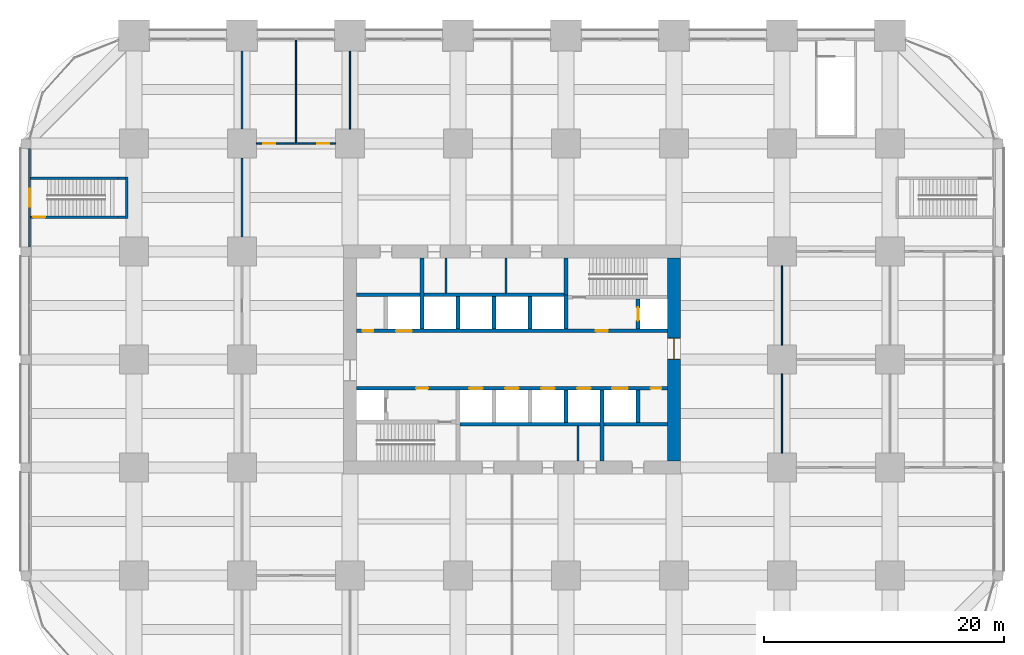
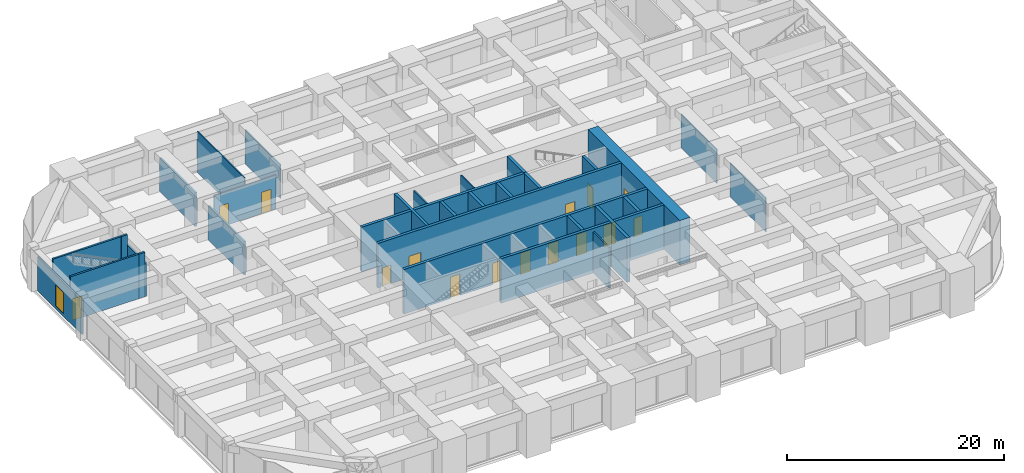
# One storey, part 42 of 46: 31 walls, 15 doors, 1 window, 16 openings.
"""IFC4 building model written with IfcOpenShell, lengths in metres."""

import ifcopenshell
import ifcopenshell.guid

model = None  # the IFC model being written
_history = None  # IfcOwnerHistory: only IFC2X3 demands one
_inside = {}  # id of a spatial element -> (the spatial element, [elements in it])
_under = {}  # id of a project, library or spatial element -> (it, [spatial elements below it])
_declared = {}  # id of a project -> (the project, [libraries it declares])
_typed = {}  # id of a type object -> (the type object, [elements of that type])
_made_of = {}  # id of a material, layer set ... -> (it, [elements and type objects made of it])


def new_model(schema):
    """Start an empty IFC model of exactly this schema.

    Asked for "IFC4X3", IfcOpenShell would pick the latest addendum, in which some entities
    have other attributes; the version numbers below select the first issue.
    IFC2X3 requires an IfcOwnerHistory on every rooted entity: one is made here for all.
    """
    global model, _history
    if schema == "IFC4X3":
        model = ifcopenshell.file(schema_version=(4, 3, 0, 0))
    else:
        model = ifcopenshell.file(schema=schema)
    _inside.clear()
    _under.clear()
    _declared.clear()
    _typed.clear()
    _made_of.clear()
    _history = None
    if model.schema == "IFC2X3":
        org = make("IfcOrganization", Name="unknown")
        user = make(
            "IfcPersonAndOrganization",
            ThePerson=make("IfcPerson", FamilyName="unknown"),
            TheOrganization=org,
        )
        app = make(
            "IfcApplication",
            ApplicationDeveloper=org,
            Version="unknown",
            ApplicationFullName="unknown",
            ApplicationIdentifier="unknown",
        )
        _history = make(
            "IfcOwnerHistory",
            OwningUser=user,
            OwningApplication=app,
            ChangeAction="ADDED",
            CreationDate=0,
        )
    return model


def make(cls, **values):
    """One entity of the class cls with the attributes given. An attribute that is None is left unset."""
    return model.create_entity(
        cls, **{name: value for name, value in values.items() if value is not None}
    )


def rooted(cls, **values):
    """An entity with a GlobalId (a new one), such as an element, a storey or a relation."""
    return make(cls, GlobalId=ifcopenshell.guid.new(), OwnerHistory=_history, **values)


def si_unit(unit_type, name, prefix=None):
    """IfcSIUnit, for example si_unit("LENGTHUNIT", "METRE", prefix="MILLI")."""
    return make("IfcSIUnit", UnitType=unit_type, Prefix=prefix, Name=name)


def assignment(units):
    """IfcUnitAssignment: the units of a project."""
    return None if units is None else make("IfcUnitAssignment", Units=units)


def point(xyz):
    """IfcCartesianPoint."""
    return None if xyz is None else make("IfcCartesianPoint", Coordinates=xyz)


def direction(xyz):
    """IfcDirection."""
    return None if xyz is None else make("IfcDirection", DirectionRatios=xyz)


def frame(location, z_axis=None, x_axis=None):
    """IfcAxis2Placement3D, a coordinate frame: its origin and axes. An axis left out is left unset."""
    return make(
        "IfcAxis2Placement3D",
        Location=point(location),
        Axis=direction(z_axis),
        RefDirection=direction(x_axis),
    )


def frame_2d(location, x_axis=None):
    """IfcAxis2Placement2D, a coordinate frame in the plane: its origin and x axis."""
    return make(
        "IfcAxis2Placement2D", Location=point(location), RefDirection=direction(x_axis)
    )


def origin():
    """The frame at (0, 0, 0) with its axes left unset."""
    return frame((0.0, 0.0, 0.0))


def place(relative_to, where):
    """IfcLocalPlacement: puts the frame where relative to a parent placement (None: the world)."""
    return make(
        "IfcLocalPlacement", PlacementRelTo=relative_to, RelativePlacement=where
    )


def context(
    kind, dimensions, precision=None, world=None, true_north=None, identifier=None
):
    """IfcGeometricRepresentationContext, for example the 3D "Model" context."""
    return make(
        "IfcGeometricRepresentationContext",
        ContextIdentifier=identifier,
        ContextType=kind,
        CoordinateSpaceDimension=dimensions,
        Precision=precision,
        WorldCoordinateSystem=world,
        TrueNorth=true_north,
    )


def subcontext(parent, identifier, kind, view, scale=None):
    """IfcGeometricRepresentationSubContext, for example "Body" below "Model"."""
    return make(
        "IfcGeometricRepresentationSubContext",
        ContextIdentifier=identifier,
        ContextType=kind,
        ParentContext=parent,
        TargetScale=scale,
        TargetView=view,
    )


def project(units=None, contexts=None):
    """IfcProject with its units and contexts."""
    return rooted(
        "IfcProject",
        Name="project",
        RepresentationContexts=contexts,
        UnitsInContext=assignment(units),
    )


def spatial(cls, under=None, at=None, **own):
    """A site, building, storey or space (cls), placed at a placement, below another one or the project."""
    s = rooted(cls, ObjectPlacement=at, **own)
    if under is not None:
        _under.setdefault(under.id(), (under, []))[1].append(s)
    return s


def profile(cls, at=None, kind="AREA", **sizes):
    """A parametric profile (cls). Its sizes go by their IFC names, for example OverallWidth=200.0."""
    return make(cls, ProfileType=kind, Position=at, **sizes)


def rectangle(**sizes):
    """IfcRectangleProfileDef."""
    return profile("IfcRectangleProfileDef", **sizes)


def extrude(swept, where, along, depth):
    """IfcExtrudedAreaSolid: the profile swept, set in the frame where, extruded along a direction by depth."""
    return make(
        "IfcExtrudedAreaSolid",
        SweptArea=swept,
        Position=where,
        ExtrudedDirection=direction(along),
        Depth=depth,
    )


def shape(context_of_items, identifier, shape_type, items):
    """IfcShapeRepresentation: the items that make up one representation, for example the "Body"."""
    return make(
        "IfcShapeRepresentation",
        ContextOfItems=context_of_items,
        RepresentationIdentifier=identifier,
        RepresentationType=shape_type,
        Items=items,
    )


def material(Name=None, Category=None):
    """IfcMaterial."""
    return make("IfcMaterial", Name=Name, Category=Category)


def layer(
    of_material, thickness, ventilated=None, Name=None, Category=None, Priority=None
):
    """IfcMaterialLayer: one layer of a wall or slab, of a material (None: an air gap)."""
    return make(
        "IfcMaterialLayer",
        Material=of_material,
        LayerThickness=thickness,
        IsVentilated=ventilated,
        Name=Name,
        Category=Category,
        Priority=Priority,
    )


def layer_set(layers, Name=None):
    """IfcMaterialLayerSet."""
    return make("IfcMaterialLayerSet", MaterialLayers=layers, LayerSetName=Name)


def made_of(thing, what):
    """Note that an element or type object is made of a material, layer set ...; save() writes the relation."""
    if what is not None:
        _made_of.setdefault(what.id(), (what, []))[1].append(thing)
    return thing


def type_object(cls, material=None, **own):
    """A type object (cls), such as IfcWallType, which elements share."""
    return made_of(rooted(cls, **own), material)


def element(
    cls,
    number,
    at=None,
    inside=None,
    cuts=None,
    type_object=None,
    material=None,
    context=None,
    identifier="Body",
    shape_type=None,
    held_by="IfcProductDefinitionShape",
    body=None,
    shapes=None,
    **own,
):
    """One element of the class cls, such as IfcWall. Its Tag is "e" and its number.

    at: its placement. inside: the storey or other place that contains it. cuts: it is an
    opening in that element (IfcRelVoidsElement). A single representation is given by context,
    identifier, shape_type and body (its items); several are given by shapes. held_by: the class
    of the entity that holds the representations. save() writes the other relations.
    """
    e = rooted(cls, Tag="e%d" % number, ObjectPlacement=at, **own)
    if body is not None:
        shapes = [shape(context, identifier, shape_type, body)]
    if shapes is not None:
        e.Representation = make(held_by, Representations=shapes)
    if inside is not None:
        _inside.setdefault(inside.id(), (inside, []))[1].append(e)
    if cuts is not None:
        rooted(
            "IfcRelVoidsElement", RelatingBuildingElement=cuts, RelatedOpeningElement=e
        )
    if type_object is not None:
        _typed.setdefault(type_object.id(), (type_object, []))[1].append(e)
    return made_of(e, material)


def fill(opening, filler):
    """IfcRelFillsElement: the door or window that sits in an opening."""
    return rooted(
        "IfcRelFillsElement",
        RelatingOpeningElement=opening,
        RelatedBuildingElement=filler,
    )


def aggregate(whole, parts):
    """IfcRelAggregates: a whole, such as a stair, and the parts it consists of."""
    return rooted("IfcRelAggregates", RelatingObject=whole, RelatedObjects=parts)


def save(model, path):
    """Write the relations noted so far, then the file.

    IfcRelAggregates (storeys below a building ...), IfcRelContainedInSpatialStructure (elements
    in a storey), IfcRelDefinesByType, IfcRelAssociatesMaterial and IfcRelDeclares: one each for
    every whole, place, type object, material and project.
    """
    for whole, parts in _under.values():
        aggregate(whole, parts)
    for where, things in _inside.values():
        rooted(
            "IfcRelContainedInSpatialStructure",
            RelatedElements=things,
            RelatingStructure=where,
        )
    for kind, things in _typed.values():
        rooted("IfcRelDefinesByType", RelatedObjects=things, RelatingType=kind)
    for what, things in _made_of.values():
        rooted("IfcRelAssociatesMaterial", RelatedObjects=things, RelatingMaterial=what)
    for by, libraries in _declared.values():
        rooted("IfcRelDeclares", RelatingContext=by, RelatedDefinitions=libraries)
    model.write(path)


model = new_model("IFC4")

# Units and contexts
model_context = context("Model", 3, precision=1e-05, world=origin(), true_north=direction((0.0, 1.0)))
body_context = subcontext(model_context, "Body", "Model", "MODEL_VIEW")
ifc_project = project(units=[si_unit("LENGTHUNIT", "METRE"), si_unit("AREAUNIT", "SQUARE_METRE"), si_unit("VOLUMEUNIT", "CUBIC_METRE"), si_unit("PLANEANGLEUNIT", "RADIAN"), si_unit("MASSUNIT", "GRAM", prefix="KILO")], contexts=[model_context])

# Site, building, storey
site_placement = place(None, origin())
site = spatial("IfcSite", under=ifc_project, at=site_placement, CompositionType="ELEMENT")
building_placement = place(site_placement, origin())
building = spatial("IfcBuilding", under=site, at=building_placement, Name="Zorevar Civic Tower", CompositionType="ELEMENT")
storey_placement = place(building_placement, frame((0.0, 0.0, 10.800048828125)))
storey = spatial("IfcBuildingStorey", under=building, at=storey_placement, Name="L02", CompositionType="ELEMENT", Elevation=10.800048828125)

# Walls
ifc_material_1 = material(Name="Concrete blockwork", Category="masonry")
ifc_layer_1 = layer(ifc_material_1, 0.199951171875)
ifc_layer_set_1 = layer_set([ifc_layer_1], Name="Blockwork wall 200")
wall_type_1 = type_object("IfcWallType", Name="Blockwork wall 200", PredefinedType="SOLIDWALL", material=ifc_layer_set_1)
wall_1_placement = place(storey_placement, frame((9.0, 37.199951171875, 0.0), z_axis=(0.0, 0.0, 1.0), x_axis=(0.0, 1.0, 0.0)))
element("IfcWall", 1, at=wall_1_placement, inside=storey, type_object=wall_type_1, Name="Blockwork wall 200 L02", PredefinedType="SOLIDWALL", context=body_context, shape_type="SweptSolid", body=[
    extrude(rectangle(XDim=6.60009765625, YDim=0.199951171875, at=frame_2d((3.300048828125, 0.0))), origin(), (0.0, 0.0, 1.0), 3.800048828125),
])
wall_2_placement = place(storey_placement, frame((9.0, 46.199951171875, 0.0), z_axis=(0.0, 0.0, 1.0), x_axis=(0.0, 1.0, 0.0)))
element("IfcWall", 2, at=wall_2_placement, inside=storey, type_object=wall_type_1, Name="Blockwork wall 200 L02", PredefinedType="SOLIDWALL", context=body_context, shape_type="SweptSolid", body=[
    extrude(rectangle(XDim=6.5, YDim=0.199951171875, at=frame_2d((3.25, 0.0))), origin(), (0.0, 0.0, 1.0), 3.800048828125),
])
for number, where, z_axis, x_axis, name in (
    (3, (-1.35009765625, 38.875, 0.0), (0.0, 0.0, 1.0), (1.0, 0.0, 0.0), "Escape stair PS1 enclosure L02"),
    (4, (-1.35009765625, 42.125, 0.0), (0.0, 0.0, 1.0), (1.0, 0.0, 0.0), "Escape stair PS1 enclosure L02"),
):
    element("IfcWall", number, at=place(storey_placement, frame(where, z_axis=z_axis, x_axis=x_axis)), inside=storey, type_object=wall_type_1, Name=name, PredefinedType="SOLIDWALL", context=body_context, shape_type="SweptSolid", body=[
        extrude(rectangle(XDim=0.650146484375, YDim=0.199951171875, at=frame_2d((0.3251953125, 0.0))), origin(), (0.0, 0.0, 1.0), 5.0),
    ])
wall_3_placement = place(storey_placement, frame((-0.60009765625, 38.77490234375, 0.0), z_axis=(0.0, 0.0, 1.0), x_axis=(0.0, 1.0, 0.0)))
element("IfcWall", 5, at=wall_3_placement, inside=storey, type_object=wall_type_1, Name="Escape stair PS1 enclosure L02", PredefinedType="SOLIDWALL", context=body_context, shape_type="SweptSolid", body=[
    extrude(rectangle(XDim=3.4501953125, YDim=0.199951171875, at=frame_2d((1.72509765625, 0.0))), origin(), (0.0, 0.0, 1.0), 3.800048828125),
])

# Wall, opening, door
ifc_material_2 = material(Name="Concrete C50/60", Category="concrete")
ifc_layer_2 = layer(ifc_material_2, 1.10009765625)
ifc_layer_set_2 = layer_set([ifc_layer_2], Name="Core wall 1100")
wall_type_2 = type_object("IfcWallType", Name="Core wall 1100", PredefinedType="SHEAR", material=ifc_layer_set_2)
wall_4_placement = place(storey_placement, frame((45.0, 18.550048828125, 0.0), z_axis=(0.0, 0.0, 1.0), x_axis=(0.0, 1.0, 0.0)))
wall_4 = element("IfcWall", 6, at=wall_4_placement, inside=storey, type_object=wall_type_2, Name="Core wall E L02", PredefinedType="SHEAR", context=body_context, shape_type="SweptSolid", body=[
    extrude(rectangle(XDim=16.89990234375, YDim=1.10009765625, at=frame_2d((8.449951171875, 0.0))), origin(), (0.0, 0.0, 1.0), 5.0),
])
opening_1_placement = place(wall_4_placement, frame((8.449951171875, 0.0, 0.0)))
opening_1 = element("IfcOpeningElement", 7, at=opening_1_placement, cuts=wall_4, Name="Opening L02.02", PredefinedType="OPENING", context=body_context, shape_type="SweptSolid", body=[
    extrude(rectangle(XDim=1.800048828125, YDim=2.39990234375, at=frame_2d((0.89990234375, 1.199951171875))), frame((0.0, 0.56005859375, 0.0), z_axis=(0.0, -1.0, 0.0), x_axis=(1.0, 0.0, 0.0)), (0.0, 0.0, 1.0), 1.1201171875),
])
ifc_material_3 = material(Name="Steel door set", Category="steel")
door_type_1 = type_object("IfcDoorType", Name="Fire door FD2 1800x2400", OperationType="DOUBLE_DOOR_DOUBLE_SWING", PredefinedType="DOOR", material=ifc_material_3)
door_1_placement = place(opening_1_placement, origin())
door_1 = element("IfcDoor", 8, at=door_1_placement, inside=storey, type_object=door_type_1, Name="Door L02 01", OperationType="DOUBLE_DOOR_DOUBLE_SWING", OverallHeight=2.39990234375, OverallWidth=1.800048828125, PredefinedType="DOOR", context=body_context, shape_type="SweptSolid", body=[
    extrude(rectangle(XDim=1.800048828125, YDim=2.39990234375, at=frame_2d((0.89990234375, 1.199951171875))), frame((0.0, 0.030029296875, 0.0), z_axis=(0.0, -1.0, 0.0), x_axis=(1.0, 0.0, 0.0)), (0.0, 0.0, 1.0), 0.06005859375),
    extrude(rectangle(XDim=0.04, YDim=2.39990234375, at=frame_2d((0.02001953125, 1.199951171875))), frame((0.0, 0.5498046875, 0.0), z_axis=(0.0, -1.0, 0.0), x_axis=(1.0, 0.0, 0.0)), (0.0, 0.0, 1.0), 1.099609375),
    extrude(rectangle(XDim=0.04, YDim=2.39990234375, at=frame_2d((1.780029296875, 1.199951171875))), frame((0.0, 0.5498046875, 0.0), z_axis=(0.0, -1.0, 0.0), x_axis=(1.0, 0.0, 0.0)), (0.0, 0.0, 1.0), 1.099609375),
    extrude(rectangle(XDim=1.800048828125, YDim=0.04, at=frame_2d((0.89990234375, 2.3798828125))), frame((0.0, 0.5498046875, 0.0), z_axis=(0.0, -1.0, 0.0), x_axis=(1.0, 0.0, 0.0)), (0.0, 0.0, 1.0), 1.099609375),
])
fill(opening_1, door_1)

# Walls
ifc_material_4 = material(Name="Laminated glass in black aluminium frame", Category="aluminium")
ifc_layer_3 = layer(ifc_material_4, 0.10009765625)
ifc_layer_set_3 = layer_set([ifc_layer_3], Name="Glazed partition 100")
wall_type_3 = type_object("IfcWallType", Name="Glazed partition 100", PredefinedType="PARTITIONING", material=ifc_layer_set_3)
for number, where, z_axis, x_axis, name in (
    (9, (54.0, 19.199951171875, 0.0), (0.0, 0.0, 1.0), (0.0, 1.0, 0.0), "Glazed partition 100 L02"),
    (10, (54.0, 28.199951171875, 0.0), (0.0, 0.0, 1.0), (0.0, 1.0, 0.0), "Glazed partition 100 L02"),
):
    element("IfcWall", number, at=place(storey_placement, frame(where, z_axis=z_axis, x_axis=x_axis)), inside=storey, type_object=wall_type_3, Name=name, PredefinedType="PARTITIONING", context=body_context, shape_type="SweptSolid", body=[
        extrude(rectangle(XDim=6.60009765625, YDim=0.10009765625, at=frame_2d((3.300048828125, 0.0))), origin(), (0.0, 0.0, 1.0), 3.800048828125),
    ])
ifc_material_5 = material(Name="Concrete C40/50", Category="concrete")
ifc_layer_4 = layer(ifc_material_5, 0.300048828125)
ifc_layer_set_4 = layer_set([ifc_layer_4], Name="Inner core wall 300")
wall_type_4 = type_object("IfcWallType", Name="Inner core wall 300", PredefinedType="SHEAR", material=ifc_layer_set_4)
wall_5_placement = place(storey_placement, frame((36.0, 32.39990234375, 0.0), z_axis=(0.0, 0.0, 1.0), x_axis=(0.0, 1.0, 0.0)))
element("IfcWall", 11, at=wall_5_placement, inside=storey, type_object=wall_type_4, Name="Inner core wall N01 L02", PredefinedType="SHEAR", context=body_context, shape_type="SweptSolid", body=[
    extrude(rectangle(XDim=3.050048828125, YDim=0.300048828125, at=frame_2d((1.52490234375, 0.0))), origin(), (0.0, 0.0, 1.0), 5.0),
])

# Wall, opening, door
wall_6_placement = place(storey_placement, frame((42.0, 29.550048828125, 0.0), z_axis=(0.0, 0.0, 1.0), x_axis=(0.0, 1.0, 0.0)))
wall_6 = element("IfcWall", 12, at=wall_6_placement, inside=storey, type_object=wall_type_4, Name="Inner core wall N02 L02", PredefinedType="SHEAR", context=body_context, shape_type="SweptSolid", body=[
    extrude(rectangle(XDim=2.5, YDim=0.300048828125, at=frame_2d((1.25, 0.0))), origin(), (0.0, 0.0, 1.0), 5.0),
])
opening_2_placement = place(wall_6_placement, frame((0.699951171875, 0.0, 0.0)))
opening_2 = element("IfcOpeningElement", 13, at=opening_2_placement, cuts=wall_6, Name="Opening L02.FL2", PredefinedType="OPENING", context=body_context, shape_type="SweptSolid", body=[
    extrude(rectangle(XDim=1.10009765625, YDim=2.39990234375, at=frame_2d((0.550048828125, 1.199951171875))), frame((0.0, 0.159912109375, 0.0), z_axis=(0.0, -1.0, 0.0), x_axis=(1.0, 0.0, 0.0)), (0.0, 0.0, 1.0), 0.320068359375),
])
ifc_material_6 = material(Name="Steel door set", Category="steel")
door_type_2 = type_object("IfcDoorType", Name="Firefighting lift landing door LD3 1100x2400", OperationType="DOUBLE_DOOR_SLIDING", PredefinedType="DOOR", material=ifc_material_6)
door_2_placement = place(opening_2_placement, origin())
door_2 = element("IfcDoor", 14, at=door_2_placement, inside=storey, type_object=door_type_2, Name="Landing door FL2 L02", OperationType="DOUBLE_DOOR_SLIDING", OverallHeight=2.39990234375, OverallWidth=1.10009765625, PredefinedType="DOOR", context=body_context, shape_type="SweptSolid", body=[
    extrude(rectangle(XDim=1.10009765625, YDim=2.39990234375, at=frame_2d((0.550048828125, 1.199951171875))), frame((0.0, 0.030029296875, 0.0), z_axis=(0.0, -1.0, 0.0), x_axis=(1.0, 0.0, 0.0)), (0.0, 0.0, 1.0), 0.06005859375),
])
fill(opening_2, door_2)

# Wall, openings, doors
wall_7_placement = place(storey_placement, frame((18.550048828125, 24.60009765625, 0.0), z_axis=(0.0, 0.0, 1.0), x_axis=(1.0, 0.0, 0.0)))
wall_7 = element("IfcWall", 15, at=wall_7_placement, inside=storey, type_object=wall_type_4, Name="Inner core wall S03 L02", PredefinedType="SHEAR", context=body_context, shape_type="SweptSolid", body=[
    extrude(rectangle(XDim=25.89990234375, YDim=0.300048828125, at=frame_2d((12.949951171875, 0.0))), origin(), (0.0, 0.0, 1.0), 5.0),
])
opening_3_placement = place(wall_7_placement, frame((4.949951171875, 0.0, 0.0)))
opening_3 = element("IfcOpeningElement", 16, at=opening_3_placement, cuts=wall_7, Name="Opening L02.13", PredefinedType="OPENING", context=body_context, shape_type="SweptSolid", body=[
    extrude(rectangle(XDim=1.0, YDim=2.39990234375, at=frame_2d((0.5, 1.199951171875))), frame((0.0, 0.159912109375, 0.0), z_axis=(0.0, -1.0, 0.0), x_axis=(1.0, 0.0, 0.0)), (0.0, 0.0, 1.0), 0.320068359375),
])
opening_4_placement = place(wall_7_placement, frame((24.5, 0.0, 0.0)))
opening_4 = element("IfcOpeningElement", 17, at=opening_4_placement, cuts=wall_7, Name="Opening L02.15", PredefinedType="OPENING", context=body_context, shape_type="SweptSolid", body=[
    extrude(rectangle(XDim=0.89990234375, YDim=2.10009765625, at=frame_2d((0.449951171875, 1.050048828125))), frame((0.0, 0.159912109375, 0.0), z_axis=(0.0, -1.0, 0.0), x_axis=(1.0, 0.0, 0.0)), (0.0, 0.0, 1.0), 0.320068359375),
])
opening_5_placement = place(wall_7_placement, frame((9.39990234375, 0.0, 0.0)))
opening_5 = element("IfcOpeningElement", 18, at=opening_5_placement, cuts=wall_7, Name="Opening L02.LP1", PredefinedType="OPENING", context=body_context, shape_type="SweptSolid", body=[
    extrude(rectangle(XDim=1.10009765625, YDim=2.39990234375, at=frame_2d((0.550048828125, 1.199951171875))), frame((0.0, 0.159912109375, 0.0), z_axis=(0.0, -1.0, 0.0), x_axis=(1.0, 0.0, 0.0)), (0.0, 0.0, 1.0), 0.320068359375),
])
opening_6_placement = place(wall_7_placement, frame((12.39990234375, 0.0, 0.0)))
opening_6 = element("IfcOpeningElement", 19, at=opening_6_placement, cuts=wall_7, Name="Opening L02.LP2", PredefinedType="OPENING", context=body_context, shape_type="SweptSolid", body=[
    extrude(rectangle(XDim=1.10009765625, YDim=2.39990234375, at=frame_2d((0.550048828125, 1.199951171875))), frame((0.0, 0.159912109375, 0.0), z_axis=(0.0, -1.0, 0.0), x_axis=(1.0, 0.0, 0.0)), (0.0, 0.0, 1.0), 0.320068359375),
])
opening_7_placement = place(wall_7_placement, frame((15.39990234375, 0.0, 0.0)))
opening_7 = element("IfcOpeningElement", 20, at=opening_7_placement, cuts=wall_7, Name="Opening L02.LP3", PredefinedType="OPENING", context=body_context, shape_type="SweptSolid", body=[
    extrude(rectangle(XDim=1.10009765625, YDim=2.39990234375, at=frame_2d((0.550048828125, 1.199951171875))), frame((0.0, 0.159912109375, 0.0), z_axis=(0.0, -1.0, 0.0), x_axis=(1.0, 0.0, 0.0)), (0.0, 0.0, 1.0), 0.320068359375),
])
opening_8_placement = place(wall_7_placement, frame((18.39990234375, 0.0, 0.0)))
opening_8 = element("IfcOpeningElement", 21, at=opening_8_placement, cuts=wall_7, Name="Opening L02.LP4", PredefinedType="OPENING", context=body_context, shape_type="SweptSolid", body=[
    extrude(rectangle(XDim=1.10009765625, YDim=2.39990234375, at=frame_2d((0.550048828125, 1.199951171875))), frame((0.0, 0.159912109375, 0.0), z_axis=(0.0, -1.0, 0.0), x_axis=(1.0, 0.0, 0.0)), (0.0, 0.0, 1.0), 0.320068359375),
])
opening_9_placement = place(wall_7_placement, frame((21.300048828125, 0.0, 0.0)))
opening_9 = element("IfcOpeningElement", 22, at=opening_9_placement, cuts=wall_7, Name="Opening L02.SL1", PredefinedType="OPENING", context=body_context, shape_type="SweptSolid", body=[
    extrude(rectangle(XDim=1.300048828125, YDim=2.39990234375, at=frame_2d((0.64990234375, 1.199951171875))), frame((0.0, 0.159912109375, 0.0), z_axis=(0.0, -1.0, 0.0), x_axis=(1.0, 0.0, 0.0)), (0.0, 0.0, 1.0), 0.320068359375),
])
ifc_material_7 = material(Name="Steel door set", Category="steel")
door_type_3 = type_object("IfcDoorType", Name="Fire door FD1 1000x2400", OperationType="SINGLE_SWING_LEFT", PredefinedType="DOOR", material=ifc_material_7)
door_3_placement = place(opening_3_placement, origin())
door_3 = element("IfcDoor", 23, at=door_3_placement, inside=storey, type_object=door_type_3, Name="Door L02 12", OperationType="SINGLE_SWING_RIGHT", OverallHeight=2.39990234375, OverallWidth=1.0, PredefinedType="DOOR", context=body_context, shape_type="SweptSolid", body=[
    extrude(rectangle(XDim=1.0, YDim=2.39990234375, at=frame_2d((0.5, 1.199951171875))), frame((0.0, 0.030029296875, 0.0), z_axis=(0.0, -1.0, 0.0), x_axis=(1.0, 0.0, 0.0)), (0.0, 0.0, 1.0), 0.06005859375),
])
fill(opening_3, door_3)
ifc_material_8 = material(Name="Steel door set", Category="steel")
door_type_4 = type_object("IfcDoorType", Name="Landing door LD1 1100x2400", OperationType="DOUBLE_DOOR_SLIDING", PredefinedType="DOOR", material=ifc_material_8)
door_4_placement = place(opening_5_placement, origin())
door_4 = element("IfcDoor", 24, at=door_4_placement, inside=storey, type_object=door_type_4, Name="Landing door LP1 L02", OperationType="DOUBLE_DOOR_SLIDING", OverallHeight=2.39990234375, OverallWidth=1.10009765625, PredefinedType="DOOR", context=body_context, shape_type="SweptSolid", body=[
    extrude(rectangle(XDim=1.10009765625, YDim=2.39990234375, at=frame_2d((0.550048828125, 1.199951171875))), frame((0.0, 0.02001953125, 0.0), z_axis=(0.0, -1.0, 0.0), x_axis=(1.0, 0.0, 0.0)), (0.0, 0.0, 1.0), 0.0400390625),
])
fill(opening_5, door_4)
door_5_placement = place(opening_6_placement, origin())
door_5 = element("IfcDoor", 25, at=door_5_placement, inside=storey, type_object=door_type_4, Name="Landing door LP2 L02", OperationType="DOUBLE_DOOR_SLIDING", OverallHeight=2.39990234375, OverallWidth=1.10009765625, PredefinedType="DOOR", context=body_context, shape_type="SweptSolid", body=[
    extrude(rectangle(XDim=1.10009765625, YDim=2.39990234375, at=frame_2d((0.550048828125, 1.199951171875))), frame((0.0, 0.02001953125, 0.0), z_axis=(0.0, -1.0, 0.0), x_axis=(1.0, 0.0, 0.0)), (0.0, 0.0, 1.0), 0.0400390625),
])
fill(opening_6, door_5)
door_6_placement = place(opening_7_placement, origin())
door_6 = element("IfcDoor", 26, at=door_6_placement, inside=storey, type_object=door_type_4, Name="Landing door LP3 L02", OperationType="DOUBLE_DOOR_SLIDING", OverallHeight=2.39990234375, OverallWidth=1.10009765625, PredefinedType="DOOR", context=body_context, shape_type="SweptSolid", body=[
    extrude(rectangle(XDim=1.10009765625, YDim=2.39990234375, at=frame_2d((0.550048828125, 1.199951171875))), frame((0.0, 0.02001953125, 0.0), z_axis=(0.0, -1.0, 0.0), x_axis=(1.0, 0.0, 0.0)), (0.0, 0.0, 1.0), 0.0400390625),
])
fill(opening_7, door_6)
door_7_placement = place(opening_8_placement, origin())
door_7 = element("IfcDoor", 27, at=door_7_placement, inside=storey, type_object=door_type_4, Name="Landing door LP4 L02", OperationType="DOUBLE_DOOR_SLIDING", OverallHeight=2.39990234375, OverallWidth=1.10009765625, PredefinedType="DOOR", context=body_context, shape_type="SweptSolid", body=[
    extrude(rectangle(XDim=1.10009765625, YDim=2.39990234375, at=frame_2d((0.550048828125, 1.199951171875))), frame((0.0, 0.02001953125, 0.0), z_axis=(0.0, -1.0, 0.0), x_axis=(1.0, 0.0, 0.0)), (0.0, 0.0, 1.0), 0.0400390625),
])
fill(opening_8, door_7)
ifc_material_9 = material(Name="Steel door set", Category="steel")
door_type_5 = type_object("IfcDoorType", Name="Landing door LD2 1300x2400", OperationType="DOUBLE_DOOR_SLIDING", PredefinedType="DOOR", material=ifc_material_9)
door_8_placement = place(opening_9_placement, origin())
door_8 = element("IfcDoor", 28, at=door_8_placement, inside=storey, type_object=door_type_5, Name="Landing door SL1 L02", OperationType="DOUBLE_DOOR_SLIDING", OverallHeight=2.39990234375, OverallWidth=1.300048828125, PredefinedType="DOOR", context=body_context, shape_type="SweptSolid", body=[
    extrude(rectangle(XDim=1.300048828125, YDim=2.39990234375, at=frame_2d((0.64990234375, 1.199951171875))), frame((0.0, 0.02001953125, 0.0), z_axis=(0.0, -1.0, 0.0), x_axis=(1.0, 0.0, 0.0)), (0.0, 0.0, 1.0), 0.0400390625),
])
fill(opening_9, door_8)
ifc_material_10 = material(Name="Steel door set", Category="steel")
door_type_6 = type_object("IfcDoorType", Name="Riser door RD1 900x2100", OperationType="SINGLE_SWING_LEFT", PredefinedType="DOOR", material=ifc_material_10)
door_9_placement = place(opening_4_placement, origin())
door_9 = element("IfcDoor", 29, at=door_9_placement, inside=storey, type_object=door_type_6, Name="Door L02 14", OperationType="SINGLE_SWING_RIGHT", OverallHeight=2.10009765625, OverallWidth=0.89990234375, PredefinedType="DOOR", context=body_context, shape_type="SweptSolid", body=[
    extrude(rectangle(XDim=0.89990234375, YDim=2.10009765625, at=frame_2d((0.449951171875, 1.050048828125))), frame((0.0, 0.030029296875, 0.0), z_axis=(0.0, -1.0, 0.0), x_axis=(1.0, 0.0, 0.0)), (0.0, 0.0, 1.0), 0.06005859375),
])
fill(opening_4, door_9)

wall_8_placement = place(storey_placement, frame((18.550048828125, 29.39990234375, 0.0), z_axis=(0.0, 0.0, 1.0), x_axis=(1.0, 0.0, 0.0)))
wall_8 = element("IfcWall", 30, at=wall_8_placement, inside=storey, type_object=wall_type_4, Name="Inner core wall N03 L02", PredefinedType="SHEAR", context=body_context, shape_type="SweptSolid", body=[
    extrude(rectangle(XDim=25.89990234375, YDim=0.300048828125, at=frame_2d((12.949951171875, 0.0))), origin(), (0.0, 0.0, 1.0), 5.0),
])
opening_10_placement = place(wall_8_placement, frame((19.949951171875, 0.0, 0.0)))
opening_10 = element("IfcOpeningElement", 31, at=opening_10_placement, cuts=wall_8, Name="Opening L02.14", PredefinedType="OPENING", context=body_context, shape_type="SweptSolid", body=[
    extrude(rectangle(XDim=1.0, YDim=2.39990234375, at=frame_2d((0.5, 1.199951171875))), frame((0.0, 0.159912109375, 0.0), z_axis=(0.0, -1.0, 0.0), x_axis=(1.0, 0.0, 0.0)), (0.0, 0.0, 1.0), 0.320068359375),
])
opening_11_placement = place(wall_8_placement, frame((0.5, 0.0, 0.0)))
opening_11 = element("IfcOpeningElement", 32, at=opening_11_placement, cuts=wall_8, Name="Opening L02.16", PredefinedType="OPENING", context=body_context, shape_type="SweptSolid", body=[
    extrude(rectangle(XDim=0.89990234375, YDim=2.10009765625, at=frame_2d((0.449951171875, 1.050048828125))), frame((0.0, 0.159912109375, 0.0), z_axis=(0.0, -1.0, 0.0), x_axis=(1.0, 0.0, 0.0)), (0.0, 0.0, 1.0), 0.320068359375),
])
opening_12_placement = place(wall_8_placement, frame((3.300048828125, 0.0, 0.0)))
opening_12 = element("IfcOpeningElement", 33, at=opening_12_placement, cuts=wall_8, Name="Opening L02.SL2", PredefinedType="OPENING", context=body_context, shape_type="SweptSolid", body=[
    extrude(rectangle(XDim=1.300048828125, YDim=2.39990234375, at=frame_2d((0.64990234375, 1.199951171875))), frame((0.0, 0.159912109375, 0.0), z_axis=(0.0, -1.0, 0.0), x_axis=(1.0, 0.0, 0.0)), (0.0, 0.0, 1.0), 0.320068359375),
])
door_10_placement = place(opening_10_placement, origin())
door_10 = element("IfcDoor", 34, at=door_10_placement, inside=storey, type_object=door_type_3, Name="Door L02 13", OperationType="SINGLE_SWING_RIGHT", OverallHeight=2.39990234375, OverallWidth=1.0, PredefinedType="DOOR", context=body_context, shape_type="SweptSolid", body=[
    extrude(rectangle(XDim=1.0, YDim=2.39990234375, at=frame_2d((0.5, 1.199951171875))), frame((0.0, 0.030029296875, 0.0), z_axis=(0.0, -1.0, 0.0), x_axis=(1.0, 0.0, 0.0)), (0.0, 0.0, 1.0), 0.06005859375),
])
fill(opening_10, door_10)
door_11_placement = place(opening_12_placement, origin())
door_11 = element("IfcDoor", 35, at=door_11_placement, inside=storey, type_object=door_type_5, Name="Landing door SL2 L02", OperationType="DOUBLE_DOOR_SLIDING", OverallHeight=2.39990234375, OverallWidth=1.300048828125, PredefinedType="DOOR", context=body_context, shape_type="SweptSolid", body=[
    extrude(rectangle(XDim=1.300048828125, YDim=2.39990234375, at=frame_2d((0.64990234375, 1.199951171875))), frame((0.0, 0.02001953125, 0.0), z_axis=(0.0, -1.0, 0.0), x_axis=(1.0, 0.0, 0.0)), (0.0, 0.0, 1.0), 0.0400390625),
])
fill(opening_12, door_11)
door_12_placement = place(opening_11_placement, origin())
door_12 = element("IfcDoor", 36, at=door_12_placement, inside=storey, type_object=door_type_6, Name="Door L02 15", OperationType="SINGLE_SWING_RIGHT", OverallHeight=2.10009765625, OverallWidth=0.89990234375, PredefinedType="DOOR", context=body_context, shape_type="SweptSolid", body=[
    extrude(rectangle(XDim=0.89990234375, YDim=2.10009765625, at=frame_2d((0.449951171875, 1.050048828125))), frame((0.0, 0.030029296875, 0.0), z_axis=(0.0, -1.0, 0.0), x_axis=(1.0, 0.0, 0.0)), (0.0, 0.0, 1.0), 0.06005859375),
])
fill(opening_11, door_12)

# Walls
for number, where, z_axis, x_axis, name in (
    (37, (27.14990234375, 21.60009765625, 0.0), (0.0, 0.0, 1.0), (1.0, 0.0, 0.0), "Inner core wall S04 L02"),
    (38, (18.550048828125, 32.39990234375, 0.0), (0.0, 0.0, 1.0), (1.0, 0.0, 0.0), "Inner core wall N04 L02"),
):
    element("IfcWall", number, at=place(storey_placement, frame(where, z_axis=z_axis, x_axis=x_axis)), inside=storey, type_object=wall_type_4, Name=name, PredefinedType="SHEAR", context=body_context, shape_type="SweptSolid", body=[
        extrude(rectangle(XDim=17.300048828125, YDim=0.300048828125, at=frame_2d((8.64990234375, 0.0))), origin(), (0.0, 0.0, 1.0), 5.0),
    ])
for number, where, z_axis, x_axis, name in (
    (39, (33.0, 29.550048828125, 0.0), (0.0, 0.0, 1.0), (0.0, 1.0, 0.0), "Inner core wall N05 L02"),
    (40, (30.0, 29.550048828125, 0.0), (0.0, 0.0, 1.0), (0.0, 1.0, 0.0), "Inner core wall N06 L02"),
    (41, (36.0, 21.75, 0.0), (0.0, 0.0, 1.0), (0.0, 1.0, 0.0), "Inner core wall S07 L02"),
    (42, (27.0, 29.550048828125, 0.0), (0.0, 0.0, 1.0), (0.0, 1.0, 0.0), "Inner core wall N07 L02"),
):
    element("IfcWall", number, at=place(storey_placement, frame(where, z_axis=z_axis, x_axis=x_axis)), inside=storey, type_object=wall_type_4, Name=name, PredefinedType="SHEAR", context=body_context, shape_type="SweptSolid", body=[
        extrude(rectangle(XDim=2.699951171875, YDim=0.300048828125, at=frame_2d((1.35009765625, 0.0))), origin(), (0.0, 0.0, 1.0), 5.0),
    ])
for number, where, z_axis, x_axis, name in (
    (43, (39.0, 18.550048828125, 0.0), (0.0, 0.0, 1.0), (0.0, 1.0, 0.0), "Inner core wall S08 L02"),
    (44, (24.0, 29.550048828125, 0.0), (0.0, 0.0, 1.0), (0.0, 1.0, 0.0), "Inner core wall N08 L02"),
):
    element("IfcWall", number, at=place(storey_placement, frame(where, z_axis=z_axis, x_axis=x_axis)), inside=storey, type_object=wall_type_4, Name=name, PredefinedType="SHEAR", context=body_context, shape_type="SweptSolid", body=[
        extrude(rectangle(XDim=5.89990234375, YDim=0.300048828125, at=frame_2d((2.949951171875, 0.0))), origin(), (0.0, 0.0, 1.0), 5.0),
    ])
wall_9_placement = place(storey_placement, frame((42.0, 21.75, 0.0), z_axis=(0.0, 0.0, 1.0), x_axis=(0.0, 1.0, 0.0)))
element("IfcWall", 45, at=wall_9_placement, inside=storey, type_object=wall_type_4, Name="Inner core wall S09 L02", PredefinedType="SHEAR", context=body_context, shape_type="SweptSolid", body=[
    extrude(rectangle(XDim=2.699951171875, YDim=0.300048828125, at=frame_2d((1.35009765625, 0.0))), origin(), (0.0, 0.0, 1.0), 5.0),
])
wall_10_placement = place(storey_placement, frame((36.0, 29.550048828125, 0.0), z_axis=(0.0, 0.0, 1.0), x_axis=(0.0, 1.0, 0.0)))
element("IfcWall", 46, at=wall_10_placement, inside=storey, type_object=wall_type_4, Name="Inner core wall N10 L02", PredefinedType="SHEAR", context=body_context, shape_type="SweptSolid", body=[
    extrude(rectangle(XDim=2.849853515625, YDim=0.300048828125, at=frame_2d((1.4248046875, 0.0))), origin(), (0.0, 0.0, 1.0), 5.0),
])

# Wall, openings, doors
ifc_material_11 = material(Name="Gypsum board on steel studs", Category="steel")
ifc_layer_5 = layer(ifc_material_11, 0.1201171875)
ifc_layer_set_5 = layer_set([ifc_layer_5], Name="Partition 120")
wall_type_5 = type_object("IfcWallType", Name="Partition 120", PredefinedType="PARTITIONING", material=ifc_layer_set_5)
wall_11_placement = place(storey_placement, frame((10.199951171875, 45.0, 0.0), z_axis=(0.0, 0.0, 1.0), x_axis=(1.0, 0.0, 0.0)))
wall_11 = element("IfcWall", 47, at=wall_11_placement, inside=storey, type_object=wall_type_5, Name="Partition 120 L02", PredefinedType="PARTITIONING", context=body_context, shape_type="SweptSolid", body=[
    extrude(rectangle(XDim=6.60009765625, YDim=0.1201171875, at=frame_2d((3.300048828125, 0.0))), origin(), (0.0, 0.0, 1.0), 3.800048828125),
])
opening_13_placement = place(wall_11_placement, frame((0.550048828125, 0.0, 0.0)))
opening_13 = element("IfcOpeningElement", 48, at=opening_13_placement, cuts=wall_11, Name="Opening L02.19", PredefinedType="OPENING", context=body_context, shape_type="SweptSolid", body=[
    extrude(rectangle(XDim=1.0, YDim=2.39990234375, at=frame_2d((0.5, 1.199951171875))), frame((0.0, 0.070068359375, 0.0), z_axis=(0.0, -1.0, 0.0), x_axis=(1.0, 0.0, 0.0)), (0.0, 0.0, 1.0), 0.14013671875),
])
opening_14_placement = place(wall_11_placement, frame((5.050048828125, 0.0, 0.0)))
opening_14 = element("IfcOpeningElement", 49, at=opening_14_placement, cuts=wall_11, Name="Opening L02.20", PredefinedType="OPENING", context=body_context, shape_type="SweptSolid", body=[
    extrude(rectangle(XDim=1.0, YDim=2.39990234375, at=frame_2d((0.5, 1.199951171875))), frame((0.0, 0.070068359375, 0.0), z_axis=(0.0, -1.0, 0.0), x_axis=(1.0, 0.0, 0.0)), (0.0, 0.0, 1.0), 0.14013671875),
])
ifc_material_12 = material(Name="Timber door set", Category="wood")
door_type_7 = type_object("IfcDoorType", Name="Door D1 1000x2400", OperationType="SINGLE_SWING_LEFT", PredefinedType="DOOR", material=ifc_material_12)
door_13_placement = place(opening_13_placement, origin())
door_13 = element("IfcDoor", 50, at=door_13_placement, inside=storey, type_object=door_type_7, Name="Door L02 D3", OperationType="SINGLE_SWING_LEFT", OverallHeight=2.39990234375, OverallWidth=1.0, PredefinedType="DOOR", context=body_context, shape_type="SweptSolid", body=[
    extrude(rectangle(XDim=1.0, YDim=2.39990234375, at=frame_2d((0.5, 1.199951171875))), frame((0.0, 0.02490234375, 0.0), z_axis=(0.0, -1.0, 0.0), x_axis=(1.0, 0.0, 0.0)), (0.0, 0.0, 1.0), 0.050048828125),
])
fill(opening_13, door_13)
door_14_placement = place(opening_14_placement, origin())
door_14 = element("IfcDoor", 51, at=door_14_placement, inside=storey, type_object=door_type_7, Name="Door L02 D4", OperationType="SINGLE_SWING_RIGHT", OverallHeight=2.39990234375, OverallWidth=1.0, PredefinedType="DOOR", context=body_context, shape_type="SweptSolid", body=[
    extrude(rectangle(XDim=1.0, YDim=2.39990234375, at=frame_2d((0.5, 1.199951171875))), frame((0.0, 0.02490234375, 0.0), z_axis=(0.0, -1.0, 0.0), x_axis=(1.0, 0.0, 0.0)), (0.0, 0.0, 1.0), 0.050048828125),
])
fill(opening_14, door_14)

# Walls
wall_12_placement = place(storey_placement, frame((13.5, 45.0, 0.0), z_axis=(0.0, 0.0, 1.0), x_axis=(0.0, 1.0, 0.0)))
element("IfcWall", 52, at=wall_12_placement, inside=storey, type_object=wall_type_5, Name="Partition 120 L02", PredefinedType="PARTITIONING", context=body_context, shape_type="SweptSolid", body=[
    extrude(rectangle(XDim=8.68994140625, YDim=0.1201171875, at=frame_2d((4.344970703125, 0.0))), origin(), (0.0, 0.0, 1.0), 4.599853515625),
])
wall_13_placement = place(storey_placement, frame((18.0, 46.199951171875, 0.0), z_axis=(0.0, 0.0, 1.0), x_axis=(0.0, 1.0, 0.0)))
element("IfcWall", 53, at=wall_13_placement, inside=storey, type_object=wall_type_5, Name="Partition 120 L02", PredefinedType="PARTITIONING", context=body_context, shape_type="SweptSolid", body=[
    extrude(rectangle(XDim=6.5, YDim=0.1201171875, at=frame_2d((3.25, 0.0))), origin(), (0.0, 0.0, 1.0), 3.800048828125),
])

# Wall, opening, window
ifc_material_13 = material(Name="Black metal-faced insulated panel", Category="aluminium")
ifc_layer_6 = layer(ifc_material_13, 0.179931640625)
ifc_layer_set_6 = layer_set([ifc_layer_6], Name="Screen wall 180")
wall_type_6 = type_object("IfcWallType", Name="Screen wall 180", PredefinedType="SOLIDWALL", material=ifc_layer_set_6)
wall_14_placement = place(storey_placement, frame((-8.699951171875, 36.39990234375, 0.0), z_axis=(0.0, 0.0, 1.0), x_axis=(0.0, 1.0, 0.0)))
wall_14 = element("IfcWall", 54, at=wall_14_placement, inside=storey, type_object=wall_type_6, Name="Screen wall L02 W36", PredefinedType="SOLIDWALL", context=body_context, shape_type="SweptSolid", body=[
    extrude(rectangle(XDim=8.2001953125, YDim=0.179931640625, at=frame_2d((4.10009765625, 0.0))), origin(), (0.0, 0.0, 1.0), 3.800048828125),
])
opening_15_placement = place(wall_14_placement, frame((3.35009765625, 0.0, 0.300048828125)))
opening_15 = element("IfcOpeningElement", 55, at=opening_15_placement, cuts=wall_14, Name="Opening WS1", PredefinedType="OPENING", context=body_context, shape_type="SweptSolid", body=[
    extrude(rectangle(XDim=1.5, YDim=2.39990234375, at=frame_2d((0.75, 1.199951171875))), frame((0.0, 0.099853515625, 0.0), z_axis=(0.0, -1.0, 0.0), x_axis=(1.0, 0.0, 0.0)), (0.0, 0.0, 1.0), 0.199951171875),
])
ifc_material_14 = material(Name="Black aluminium and dark glass", Category="aluminium")
window_type = type_object("IfcWindowType", Name="Window WS1 1500x2400", PartitioningType="SINGLE_PANEL", PredefinedType="WINDOW", material=ifc_material_14)
window_placement = place(opening_15_placement, origin())
window = element("IfcWindow", 56, at=window_placement, inside=storey, type_object=window_type, Name="Stair window L02 W36", OverallHeight=2.39990234375, OverallWidth=1.5, PartitioningType="SINGLE_PANEL", PredefinedType="WINDOW", context=body_context, shape_type="SweptSolid", body=[
    extrude(rectangle(XDim=1.5, YDim=2.39990234375, at=frame_2d((0.75, 1.199951171875))), frame((0.0, 0.030029296875, 0.0), z_axis=(0.0, -1.0, 0.0), x_axis=(1.0, 0.0, 0.0)), (0.0, 0.0, 1.0), 0.06005859375),
])
fill(opening_15, window)

# Wall, opening, door
ifc_material_15 = material(Name="Concrete C30/37", Category="concrete")
ifc_layer_7 = layer(ifc_material_15, 0.199951171875)
ifc_layer_set_7 = layer_set([ifc_layer_7], Name="Stair enclosure wall 200")
wall_type_7 = type_object("IfcWallType", Name="Stair enclosure wall 200", PredefinedType="SOLIDWALL", material=ifc_layer_set_7)
wall_15_placement = place(storey_placement, frame((-8.610107421875, 38.875, 0.0), z_axis=(0.0, 0.0, 1.0), x_axis=(1.0, 0.0, 0.0)))
wall_15 = element("IfcWall", 57, at=wall_15_placement, inside=storey, type_object=wall_type_7, Name="Escape stair PS1 enclosure L02", PredefinedType="SOLIDWALL", context=body_context, shape_type="SweptSolid", body=[
    extrude(rectangle(XDim=7.260009765625, YDim=0.199951171875, at=frame_2d((3.6298828125, 0.0))), origin(), (0.0, 0.0, 1.0), 5.0),
])
opening_16_placement = place(wall_15_placement, frame((0.2099609375, 0.0, 0.0)))
opening_16 = element("IfcOpeningElement", 58, at=opening_16_placement, cuts=wall_15, Name="Opening L02.81", PredefinedType="OPENING", context=body_context, shape_type="SweptSolid", body=[
    extrude(rectangle(XDim=1.0, YDim=2.39990234375, at=frame_2d((0.5, 1.199951171875))), frame((0.0, 0.10986328125, 0.0), z_axis=(0.0, -1.0, 0.0), x_axis=(1.0, 0.0, 0.0)), (0.0, 0.0, 1.0), 0.219970703125),
])
door_15_placement = place(opening_16_placement, origin())
door_15 = element("IfcDoor", 59, at=door_15_placement, inside=storey, type_object=door_type_3, Name="Escape stair PS1 door L02", OperationType="SINGLE_SWING_RIGHT", OverallHeight=2.39990234375, OverallWidth=1.0, PredefinedType="DOOR", context=body_context, shape_type="SweptSolid", body=[
    extrude(rectangle(XDim=1.0, YDim=2.39990234375, at=frame_2d((0.5, 1.199951171875))), frame((0.0, 0.030029296875, 0.0), z_axis=(0.0, -1.0, 0.0), x_axis=(1.0, 0.0, 0.0)), (0.0, 0.0, 1.0), 0.06005859375),
])
fill(opening_16, door_15)

# Walls
wall_16_placement = place(storey_placement, frame((-8.610107421875, 42.125, 0.0), z_axis=(0.0, 0.0, 1.0), x_axis=(1.0, 0.0, 0.0)))
element("IfcWall", 60, at=wall_16_placement, inside=storey, type_object=wall_type_7, Name="Escape stair PS1 enclosure L02", PredefinedType="SOLIDWALL", context=body_context, shape_type="SweptSolid", body=[
    extrude(rectangle(XDim=7.260009765625, YDim=0.199951171875, at=frame_2d((3.6298828125, 0.0))), origin(), (0.0, 0.0, 1.0), 5.0),
])
ifc_material_16 = material(Name="Gypsum board on steel studs, moisture resistant", Category="steel")
ifc_layer_8 = layer(ifc_material_16, 0.14990234375)
ifc_layer_set_8 = layer_set([ifc_layer_8], Name="WC partition 150")
wall_type_8 = type_object("IfcWallType", Name="WC partition 150", PredefinedType="PARTITIONING", material=ifc_layer_set_8)
for number, where, z_axis, x_axis, name in (
    (61, (31.0, 32.550048828125, 0.0), (0.0, 0.0, 1.0), (0.0, 1.0, 0.0), "WC partition L02"),
    (62, (37.0, 18.550048828125, 0.0), (0.0, 0.0, 1.0), (0.0, 1.0, 0.0), "WC partition L02"),
    (63, (26.0, 32.550048828125, 0.0), (0.0, 0.0, 1.0), (0.0, 1.0, 0.0), "WC partition L02"),
):
    element("IfcWall", number, at=place(storey_placement, frame(where, z_axis=z_axis, x_axis=x_axis)), inside=storey, type_object=wall_type_8, Name=name, PredefinedType="PARTITIONING", context=body_context, shape_type="SweptSolid", body=[
        extrude(rectangle(XDim=2.89990234375, YDim=0.14990234375, at=frame_2d((1.449951171875, 0.0))), origin(), (0.0, 0.0, 1.0), 4.599853515625),
    ])

save(model, "model.ifc")
